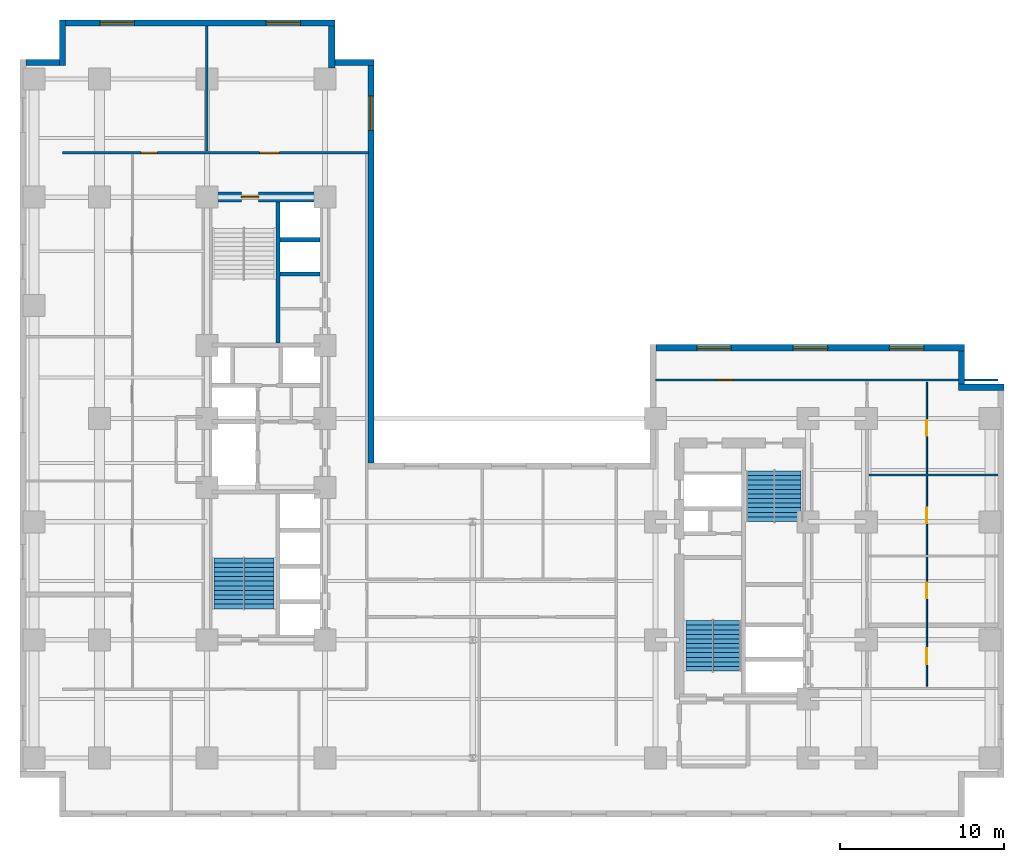
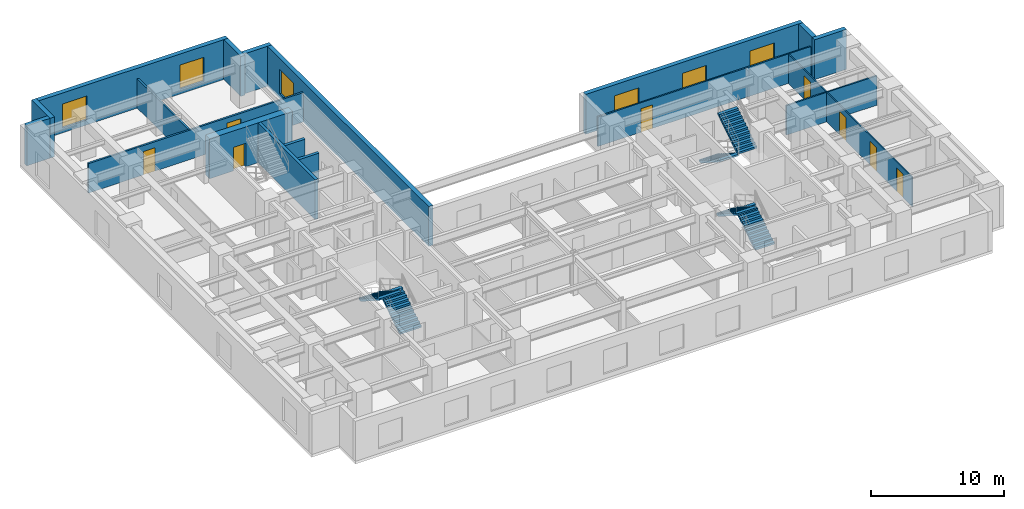
# One storey, part 6 of 10: 18 walls, 8 doors, 6 stair flights, 6 windows, 14 openings, 3 elements without a shape of their own.
"""IFC4 building model written with IfcOpenShell, lengths in metres."""

from ifc_helpers import new_model, entity, si_unit, converted_unit, direction, frame, origin_with_axes, origin_2d_with_axis, place, context, subcontext, project, spatial, polyline, rectangle, outline, extrude, material, layer, layer_set, type_object, element, fill, aggregate, save


model = new_model("IFC4")

# Units and contexts
model_context = context("Model", 3, precision=1e-05, world=origin_with_axes(), true_north=direction((0.0, 1.0)))
body_context = subcontext(model_context, "Body", "Model", "MODEL_VIEW")
ifc_project = project(units=[si_unit("LENGTHUNIT", "METRE"), si_unit("AREAUNIT", "SQUARE_METRE"), si_unit("VOLUMEUNIT", "CUBIC_METRE"), converted_unit("PLANEANGLEUNIT", "DEGREE", entity("IfcPlaneAngleMeasure", 0.017453292519943295), si_unit("PLANEANGLEUNIT", "RADIAN"), dimensions=[0, 0, 0, 0, 0, 0, 0]), si_unit("MASSUNIT", "GRAM", prefix="KILO"), si_unit("THERMODYNAMICTEMPERATUREUNIT", "KELVIN")], contexts=[model_context])

# Site, building, storey
site_placement = place(None, origin_with_axes())
site = spatial("IfcSite", under=ifc_project, at=site_placement, CompositionType="ELEMENT")
building_placement = place(site_placement, origin_with_axes())
building = spatial("IfcBuilding", under=site, at=building_placement, Name="Varnlund Millrace Tower", CompositionType="ELEMENT")
storey_placement = place(building_placement, frame((0.0, 0.0, 44.4), z_axis=(0.0, 0.0, 1.0), x_axis=(1.0, 0.0, 0.0)))
storey = spatial("IfcBuildingStorey", under=building, at=storey_placement, Name="L10", CompositionType="ELEMENT", Elevation=44.4)

# Wall, opening, door
ifc_material_1 = material(Name="Concrete C80/95", Category="concrete")
ifc_layer_1 = layer(ifc_material_1, 0.6, Name="Concrete C80/95")
ifc_layer_set_1 = layer_set([ifc_layer_1], Name="Concrete C80/95")
wall_type_1 = type_object("IfcWallType", Name="Type-CoreWall-Shear-600-C80", PredefinedType="SHEAR", material=ifc_layer_set_1)
wall_1_placement = place(storey_placement, frame((11.4, 37.8, 0.0), z_axis=(0.0, 0.0, 1.0), x_axis=(1.0, 0.0, 0.0)))
wall_1 = element("IfcWall", 1, at=wall_1_placement, inside=storey, type_object=wall_type_1, Name="Type-CoreWall-Shear-600-C80", PredefinedType="SHEAR", context=body_context, shape_type="SweptSolid", body=[
    extrude(outline(polyline([(0.0, -0.3), (7.2, -0.3), (7.2, 0.3), (0.0, 0.3), (0.0, -0.3)])), origin_with_axes(), (0.0, 0.0, 1.0), 3.66),
])
opening_1_placement = place(wall_1_placement, frame((2.625, 0.0, 0.0), z_axis=(0.0, 0.0, 1.0), x_axis=(1.0, 0.0, 0.0)))
opening_1 = element("IfcOpeningElement", 2, at=opening_1_placement, cuts=wall_1, Name="Opening L10:DR-STA2", PredefinedType="OPENING", context=body_context, shape_type="SweptSolid", body=[
    extrude(rectangle(XDim=1.05, YDim=0.62, at=origin_2d_with_axis()), origin_with_axes(), (0.0, 0.0, 1.0), 2.15),
])
ifc_material_2 = material(Name="Fire-rated hollow steel door", Category="steel")
door_type_1 = type_object("IfcDoorType", Name="Type-FireDoor-Stair-1050X2150", OperationType="NOTDEFINED", PredefinedType="DOOR", material=ifc_material_2)
door_1_placement = place(wall_1_placement, frame((2.625, 0.0, 0.0), z_axis=(0.0, 0.0, 1.0), x_axis=(1.0, 0.0, 0.0)))
door_1 = element("IfcDoor", 3, at=door_1_placement, inside=storey, type_object=door_type_1, Name="Type-FireDoor-Stair-1050X2150", OperationType="SINGLE_SWING_RIGHT", OverallHeight=2.15, OverallWidth=1.05, PredefinedType="DOOR", context=body_context, shape_type="SweptSolid", body=[
    extrude(rectangle(XDim=1.05, YDim=0.09, at=origin_2d_with_axis()), origin_with_axes(), (0.0, 0.0, 1.0), 2.15),
])
fill(opening_1, door_1)

# Wall, openings, windows
ifc_material_3 = material(Name="Precast concrete C50/60", Category="concrete")
ifc_layer_2 = layer(ifc_material_3, 0.38, Name="Precast concrete C50/60")
ifc_layer_set_2 = layer_set([ifc_layer_2], Name="Precast concrete C50/60")
wall_type_2 = type_object("IfcWallType", Name="Type-ExtWall-Precast-Tube-380", PredefinedType="SOLIDWALL", material=ifc_layer_set_2)
wall_2_placement = place(storey_placement, frame((38.78, 28.61, 0.0), z_axis=(0.0, 0.0, 1.0), x_axis=(1.0, 0.0, 0.0)))
wall_2 = element("IfcWall", 4, at=wall_2_placement, inside=storey, type_object=wall_type_2, Name="Type-ExtWall-Precast-Tube-380", PredefinedType="SOLIDWALL", context=body_context, shape_type="SweptSolid", body=[
    extrude(outline(polyline([(0.0, -0.19), (18.82, -0.19), (18.82, 0.19), (0.0, 0.19), (0.0, -0.19)])), origin_with_axes(), (0.0, 0.0, 1.0), 3.66),
])
opening_2_placement = place(wall_2_placement, frame((3.537, 0.0, 0.45), z_axis=(0.0, 0.0, 1.0), x_axis=(1.0, 0.0, 0.0)))
opening_2 = element("IfcOpeningElement", 5, at=opening_2_placement, cuts=wall_2, Name="Opening L10:WN-01", PredefinedType="OPENING", context=body_context, shape_type="SweptSolid", body=[
    extrude(rectangle(XDim=2.1, YDim=0.4, at=origin_2d_with_axis()), origin_with_axes(), (0.0, 0.0, 1.0), 2.2),
])
opening_3_placement = place(wall_2_placement, frame((9.41, 0.0, 0.45), z_axis=(0.0, 0.0, 1.0), x_axis=(1.0, 0.0, 0.0)))
opening_3 = element("IfcOpeningElement", 6, at=opening_3_placement, cuts=wall_2, Name="Opening L10:WN-02", PredefinedType="OPENING", context=body_context, shape_type="SweptSolid", body=[
    extrude(rectangle(XDim=2.1, YDim=0.4, at=origin_2d_with_axis()), origin_with_axes(), (0.0, 0.0, 1.0), 2.2),
])
opening_4_placement = place(wall_2_placement, frame((15.283, 0.0, 0.45), z_axis=(0.0, 0.0, 1.0), x_axis=(1.0, 0.0, 0.0)))
opening_4 = element("IfcOpeningElement", 7, at=opening_4_placement, cuts=wall_2, Name="Opening L10:WN-03", PredefinedType="OPENING", context=body_context, shape_type="SweptSolid", body=[
    extrude(rectangle(XDim=2.1, YDim=0.4, at=origin_2d_with_axis()), origin_with_axes(), (0.0, 0.0, 1.0), 2.2),
])
ifc_material_4 = material(Name="Argon low-e triple glazing in thermally broken bronze frame", Category="glass")
window_type = type_object("IfcWindowType", Name="Type-Window-Punched-2100X2200", PartitioningType="SINGLE_PANEL", PredefinedType="WINDOW", material=ifc_material_4)
window_1_placement = place(wall_2_placement, frame((3.537, 0.0, 0.45), z_axis=(0.0, 0.0, 1.0), x_axis=(1.0, 0.0, 0.0)))
window_1 = element("IfcWindow", 8, at=window_1_placement, inside=storey, type_object=window_type, Name="Type-Window-Punched-2100X2200", OverallHeight=2.2, OverallWidth=2.1, PredefinedType="WINDOW", context=body_context, shape_type="SweptSolid", body=[
    extrude(rectangle(XDim=2.1, YDim=0.09, at=origin_2d_with_axis()), origin_with_axes(), (0.0, 0.0, 1.0), 2.2),
])
fill(opening_2, window_1)
window_2_placement = place(wall_2_placement, frame((9.41, 0.0, 0.45), z_axis=(0.0, 0.0, 1.0), x_axis=(1.0, 0.0, 0.0)))
window_2 = element("IfcWindow", 9, at=window_2_placement, inside=storey, type_object=window_type, Name="Type-Window-Punched-2100X2200", OverallHeight=2.2, OverallWidth=2.1, PredefinedType="WINDOW", context=body_context, shape_type="SweptSolid", body=[
    extrude(rectangle(XDim=2.1, YDim=0.09, at=origin_2d_with_axis()), origin_with_axes(), (0.0, 0.0, 1.0), 2.2),
])
fill(opening_3, window_2)
window_3_placement = place(wall_2_placement, frame((15.283, 0.0, 0.45), z_axis=(0.0, 0.0, 1.0), x_axis=(1.0, 0.0, 0.0)))
window_3 = element("IfcWindow", 10, at=window_3_placement, inside=storey, type_object=window_type, Name="Type-Window-Punched-2100X2200", OverallHeight=2.2, OverallWidth=2.1, PredefinedType="WINDOW", context=body_context, shape_type="SweptSolid", body=[
    extrude(rectangle(XDim=2.1, YDim=0.09, at=origin_2d_with_axis()), origin_with_axes(), (0.0, 0.0, 1.0), 2.2),
])
fill(opening_4, window_3)

# Walls
wall_3_placement = place(storey_placement, frame((57.41, 28.42, 0.0), z_axis=(0.0, 0.0, 1.0), x_axis=(0.0, -1.0, 0.0)))
element("IfcWall", 11, at=wall_3_placement, inside=storey, type_object=wall_type_2, Name="Type-ExtWall-Precast-Tube-380", PredefinedType="SOLIDWALL", context=body_context, shape_type="SweptSolid", body=[
    extrude(outline(polyline([(0.0, -0.19), (2.02, -0.19), (2.02, 0.19), (0.0, 0.19), (0.0, -0.19)])), origin_with_axes(), (0.0, 0.0, 1.0), 3.66),
])
wall_4_placement = place(storey_placement, frame((57.22, 26.21, 0.0), z_axis=(0.0, 0.0, 1.0), x_axis=(1.0, 0.0, 0.0)))
element("IfcWall", 12, at=wall_4_placement, inside=storey, type_object=wall_type_2, Name="Type-ExtWall-Precast-Tube-380", PredefinedType="SOLIDWALL", context=body_context, shape_type="SweptSolid", body=[
    extrude(outline(polyline([(0.0, -0.19), (2.78, -0.19), (2.78, 0.19), (0.0, 0.19), (0.0, -0.19)])), origin_with_axes(), (0.0, 0.0, 1.0), 3.66),
])
wall_5_placement = place(storey_placement, frame((0.38, 46.01, 0.0), z_axis=(0.0, 0.0, 1.0), x_axis=(1.0, 0.0, 0.0)))
element("IfcWall", 13, at=wall_5_placement, inside=storey, type_object=wall_type_2, Name="Type-ExtWall-Precast-Tube-380", PredefinedType="SOLIDWALL", context=body_context, shape_type="SweptSolid", body=[
    extrude(outline(polyline([(0.0, -0.19), (2.02, -0.19), (2.02, 0.19), (0.0, 0.19), (0.0, -0.19)])), origin_with_axes(), (0.0, 0.0, 1.0), 3.66),
])
wall_6_placement = place(storey_placement, frame((2.59, 45.82, 0.0), z_axis=(0.0, 0.0, 1.0), x_axis=(0.0, 1.0, 0.0)))
element("IfcWall", 14, at=wall_6_placement, inside=storey, type_object=wall_type_2, Name="Type-ExtWall-Precast-Tube-380", PredefinedType="SOLIDWALL", context=body_context, shape_type="SweptSolid", body=[
    extrude(outline(polyline([(0.0, -0.19), (2.78, -0.19), (2.78, 0.19), (0.0, 0.19), (0.0, -0.19)])), origin_with_axes(), (0.0, 0.0, 1.0), 3.66),
])

# Wall, openings, windows
wall_7_placement = place(storey_placement, frame((2.78, 48.41, 0.0), z_axis=(0.0, 0.0, 1.0), x_axis=(1.0, 0.0, 0.0)))
wall_7 = element("IfcWall", 15, at=wall_7_placement, inside=storey, type_object=wall_type_2, Name="Type-ExtWall-Precast-Tube-380", PredefinedType="SOLIDWALL", context=body_context, shape_type="SweptSolid", body=[
    extrude(outline(polyline([(0.0, -0.19), (16.42, -0.19), (16.42, 0.19), (0.0, 0.19), (0.0, -0.19)])), origin_with_axes(), (0.0, 0.0, 1.0), 3.66),
])
opening_5_placement = place(wall_7_placement, frame((3.137, 0.0, 0.45), z_axis=(0.0, 0.0, 1.0), x_axis=(1.0, 0.0, 0.0)))
opening_5 = element("IfcOpeningElement", 16, at=opening_5_placement, cuts=wall_7, Name="Opening L10:WN-21", PredefinedType="OPENING", context=body_context, shape_type="SweptSolid", body=[
    extrude(rectangle(XDim=2.1, YDim=0.4, at=origin_2d_with_axis()), origin_with_axes(), (0.0, 0.0, 1.0), 2.2),
])
opening_6_placement = place(wall_7_placement, frame((13.283, 0.0, 0.45), z_axis=(0.0, 0.0, 1.0), x_axis=(1.0, 0.0, 0.0)))
opening_6 = element("IfcOpeningElement", 17, at=opening_6_placement, cuts=wall_7, Name="Opening L10:WN-22", PredefinedType="OPENING", context=body_context, shape_type="SweptSolid", body=[
    extrude(rectangle(XDim=2.1, YDim=0.4, at=origin_2d_with_axis()), origin_with_axes(), (0.0, 0.0, 1.0), 2.2),
])
window_4_placement = place(wall_7_placement, frame((3.137, 0.0, 0.45), z_axis=(0.0, 0.0, 1.0), x_axis=(1.0, 0.0, 0.0)))
window_4 = element("IfcWindow", 18, at=window_4_placement, inside=storey, type_object=window_type, Name="Type-Window-Punched-2100X2200", OverallHeight=2.2, OverallWidth=2.1, PredefinedType="WINDOW", context=body_context, shape_type="SweptSolid", body=[
    extrude(rectangle(XDim=2.1, YDim=0.09, at=origin_2d_with_axis()), origin_with_axes(), (0.0, 0.0, 1.0), 2.2),
])
fill(opening_5, window_4)
window_5_placement = place(wall_7_placement, frame((13.283, 0.0, 0.45), z_axis=(0.0, 0.0, 1.0), x_axis=(1.0, 0.0, 0.0)))
window_5 = element("IfcWindow", 19, at=window_5_placement, inside=storey, type_object=window_type, Name="Type-Window-Punched-2100X2200", OverallHeight=2.2, OverallWidth=2.1, PredefinedType="WINDOW", context=body_context, shape_type="SweptSolid", body=[
    extrude(rectangle(XDim=2.1, YDim=0.09, at=origin_2d_with_axis()), origin_with_axes(), (0.0, 0.0, 1.0), 2.2),
])
fill(opening_6, window_5)

# Walls
wall_8_placement = place(storey_placement, frame((19.01, 48.22, 0.0), z_axis=(0.0, 0.0, 1.0), x_axis=(0.0, -1.0, 0.0)))
element("IfcWall", 20, at=wall_8_placement, inside=storey, type_object=wall_type_2, Name="Type-ExtWall-Precast-Tube-380", PredefinedType="SOLIDWALL", context=body_context, shape_type="SweptSolid", body=[
    extrude(outline(polyline([(0.0, -0.19), (2.56, -0.19), (2.56, 0.19), (0.0, 0.19), (0.0, -0.19)])), origin_with_axes(), (0.0, 0.0, 1.0), 3.66),
])
wall_9_placement = place(storey_placement, frame((18.82, 46.01, 0.0), z_axis=(0.0, 0.0, 1.0), x_axis=(1.0, 0.0, 0.0)))
element("IfcWall", 21, at=wall_9_placement, inside=storey, type_object=wall_type_2, Name="Type-ExtWall-Precast-Tube-380", PredefinedType="SOLIDWALL", context=body_context, shape_type="SweptSolid", body=[
    extrude(outline(polyline([(0.0, -0.19), (2.78, -0.19), (2.78, 0.19), (0.0, 0.19), (0.0, -0.19)])), origin_with_axes(), (0.0, 0.0, 1.0), 3.66),
])

# Wall, opening, window
wall_10_placement = place(storey_placement, frame((21.41, 45.82, 0.0), z_axis=(0.0, 0.0, 1.0), x_axis=(0.0, -1.0, 0.0)))
wall_10 = element("IfcWall", 22, at=wall_10_placement, inside=storey, type_object=wall_type_2, Name="Type-ExtWall-Precast-Tube-380", PredefinedType="SOLIDWALL", context=body_context, shape_type="SweptSolid", body=[
    extrude(outline(polyline([(0.0, -0.19), (24.22, -0.19), (24.22, 0.19), (0.0, 0.19), (0.0, -0.19)])), origin_with_axes(), (0.0, 0.0, 1.0), 3.66),
])
opening_7_placement = place(wall_10_placement, frame((2.902, 0.0, 0.45), z_axis=(0.0, 0.0, 1.0), x_axis=(1.0, 0.0, 0.0)))
opening_7 = element("IfcOpeningElement", 23, at=opening_7_placement, cuts=wall_10, Name="Opening L10:WN-23", PredefinedType="OPENING", context=body_context, shape_type="SweptSolid", body=[
    extrude(rectangle(XDim=2.1, YDim=0.4, at=origin_2d_with_axis()), origin_with_axes(), (0.0, 0.0, 1.0), 2.2),
])
window_6_placement = place(wall_10_placement, frame((2.902, 0.0, 0.45), z_axis=(0.0, 0.0, 1.0), x_axis=(1.0, 0.0, 0.0)))
window_6 = element("IfcWindow", 24, at=window_6_placement, inside=storey, type_object=window_type, Name="Type-Window-Punched-2100X2200", OverallHeight=2.2, OverallWidth=2.1, PredefinedType="WINDOW", context=body_context, shape_type="SweptSolid", body=[
    extrude(rectangle(XDim=2.1, YDim=0.09, at=origin_2d_with_axis()), origin_with_axes(), (0.0, 0.0, 1.0), 2.2),
])
fill(opening_7, window_6)

# Wall, openings, doors
ifc_material_5 = material(Name="Fire-rated gypsum board on cold-formed steel framing", Category="steel")
ifc_layer_3 = layer(ifc_material_5, 0.16, Name="Fire-rated gypsum board on cold-formed steel framing")
ifc_layer_set_3 = layer_set([ifc_layer_3], Name="Fire-rated gypsum board on cold-formed steel framing")
wall_type_3 = type_object("IfcWallType", Name="Type-Partition-Corridor-160", PredefinedType="PARTITIONING", material=ifc_layer_set_3)
wall_11_placement = place(storey_placement, frame((2.6, 40.5, 0.0), z_axis=(0.0, 0.0, 1.0), x_axis=(1.0, 0.0, 0.0)))
wall_11 = element("IfcWall", 25, at=wall_11_placement, inside=storey, type_object=wall_type_3, Name="Type-Partition-Corridor-160", PredefinedType="PARTITIONING", context=body_context, shape_type="SweptSolid", body=[
    extrude(outline(polyline([(0.0, -0.08), (18.65, -0.08), (18.65, 0.08), (0.0, 0.08), (0.0, -0.08)])), origin_with_axes(), (0.0, 0.0, 1.0), 2.7),
])
opening_8_placement = place(wall_11_placement, frame((5.275, 0.0, 0.0), z_axis=(0.0, 0.0, 1.0), x_axis=(1.0, 0.0, 0.0)))
opening_8 = element("IfcOpeningElement", 26, at=opening_8_placement, cuts=wall_11, Name="Opening L10:DR-WAN-01", PredefinedType="OPENING", context=body_context, shape_type="SweptSolid", body=[
    extrude(rectangle(XDim=1.0, YDim=0.18, at=origin_2d_with_axis()), origin_with_axes(), (0.0, 0.0, 1.0), 2.15),
])
opening_9_placement = place(wall_11_placement, frame((12.61, 0.0, 0.0), z_axis=(0.0, 0.0, 1.0), x_axis=(1.0, 0.0, 0.0)))
opening_9 = element("IfcOpeningElement", 27, at=opening_9_placement, cuts=wall_11, Name="Opening L10:DR-WAN-02", PredefinedType="OPENING", context=body_context, shape_type="SweptSolid", body=[
    extrude(rectangle(XDim=1.2, YDim=0.18, at=origin_2d_with_axis()), origin_with_axes(), (0.0, 0.0, 1.0), 2.2),
])
ifc_material_6 = material(Name="Wide executive white oak acoustic door")
door_type_2 = type_object("IfcDoorType", Name="Type-IntDoor-Exec-1200X2200", OperationType="NOTDEFINED", PredefinedType="DOOR", material=ifc_material_6)
door_2_placement = place(wall_11_placement, frame((12.61, 0.0, 0.0), z_axis=(0.0, 0.0, 1.0), x_axis=(1.0, 0.0, 0.0)))
door_2 = element("IfcDoor", 28, at=door_2_placement, inside=storey, type_object=door_type_2, Name="Type-IntDoor-Exec-1200X2200", OperationType="SINGLE_SWING_RIGHT", OverallHeight=2.2, OverallWidth=1.2, PredefinedType="DOOR", context=body_context, shape_type="SweptSolid", body=[
    extrude(rectangle(XDim=1.2, YDim=0.09, at=origin_2d_with_axis()), origin_with_axes(), (0.0, 0.0, 1.0), 2.2),
])
fill(opening_9, door_2)
ifc_material_7 = material(Name="Solid-core white oak and bronze frame door")
door_type_3 = type_object("IfcDoorType", Name="Type-IntDoor-Office-1000X2150", OperationType="NOTDEFINED", PredefinedType="DOOR", material=ifc_material_7)
door_3_placement = place(wall_11_placement, frame((5.275, 0.0, 0.0), z_axis=(0.0, 0.0, 1.0), x_axis=(1.0, 0.0, 0.0)))
door_3 = element("IfcDoor", 29, at=door_3_placement, inside=storey, type_object=door_type_3, Name="Type-IntDoor-Office-1000X2150", OperationType="SINGLE_SWING_LEFT", OverallHeight=2.15, OverallWidth=1.0, PredefinedType="DOOR", context=body_context, shape_type="SweptSolid", body=[
    extrude(rectangle(XDim=1.0, YDim=0.09, at=origin_2d_with_axis()), origin_with_axes(), (0.0, 0.0, 1.0), 2.15),
])
fill(opening_8, door_3)

# Wall
ifc_material_8 = material(Name="Acoustic STC-50 gypsum board partition", Category="gypsum")
ifc_layer_4 = layer(ifc_material_8, 0.15, Name="Acoustic STC-50 gypsum board partition")
ifc_layer_set_4 = layer_set([ifc_layer_4], Name="Acoustic STC-50 gypsum board partition")
wall_type_4 = type_object("IfcWallType", Name="Type-Partition-Demising-150", PredefinedType="PARTITIONING", material=ifc_layer_set_4)
wall_12_placement = place(storey_placement, frame((11.4, 40.6, 0.0), z_axis=(0.0, 0.0, 1.0), x_axis=(0.0, 1.0, 0.0)))
element("IfcWall", 30, at=wall_12_placement, inside=storey, type_object=wall_type_4, Name="Type-Partition-Demising-150", PredefinedType="PARTITIONING", context=body_context, shape_type="SweptSolid", body=[
    extrude(outline(polyline([(0.0, -0.075), (7.64, -0.075), (7.64, 0.075), (0.0, 0.075), (0.0, -0.075)])), origin_with_axes(), (0.0, 0.0, 1.0), 2.7),
])

# Wall, openings, doors
ifc_material_9 = material(Name="Architectural bronze and acoustic glass office front", Category="glass")
ifc_layer_5 = layer(ifc_material_9, 0.1, Name="Architectural bronze and acoustic glass office front")
ifc_layer_set_5 = layer_set([ifc_layer_5], Name="Architectural bronze and acoustic glass office front")
wall_type_5 = type_object("IfcWallType", Name="Type-Partition-Glazed-100", PredefinedType="PARTITIONING", material=ifc_layer_set_5)
wall_13_placement = place(storey_placement, frame((55.3, 7.98, 0.0), z_axis=(0.0, 0.0, 1.0), x_axis=(0.0, 1.0, 0.0)))
wall_13 = element("IfcWall", 31, at=wall_13_placement, inside=storey, type_object=wall_type_5, Name="Type-Partition-Glazed-100", PredefinedType="PARTITIONING", context=body_context, shape_type="SweptSolid", body=[
    extrude(outline(polyline([(0.0, -0.05), (18.54, -0.05), (18.54, 0.05), (0.0, 0.05), (0.0, -0.05)])), origin_with_axes(), (0.0, 0.0, 1.0), 2.7),
])
opening_10_placement = place(wall_13_placement, frame((1.823, 0.0, 0.0), z_axis=(0.0, 0.0, 1.0), x_axis=(1.0, 0.0, 0.0)))
opening_10 = element("IfcOpeningElement", 32, at=opening_10_placement, cuts=wall_13, Name="Opening L10:DR-WB-S01", PredefinedType="OPENING", context=body_context, shape_type="SweptSolid", body=[
    extrude(rectangle(XDim=0.95, YDim=0.12, at=origin_2d_with_axis()), origin_with_axes(), (0.0, 0.0, 1.0), 2.15),
])
opening_11_placement = place(wall_13_placement, frame((5.832, 0.0, 0.0), z_axis=(0.0, 0.0, 1.0), x_axis=(1.0, 0.0, 0.0)))
opening_11 = element("IfcOpeningElement", 33, at=opening_11_placement, cuts=wall_13, Name="Opening L10:DR-WB-S02", PredefinedType="OPENING", context=body_context, shape_type="SweptSolid", body=[
    extrude(rectangle(XDim=0.95, YDim=0.12, at=origin_2d_with_axis()), origin_with_axes(), (0.0, 0.0, 1.0), 2.15),
])
opening_12_placement = place(wall_13_placement, frame((10.4145, 0.0, 0.0), z_axis=(0.0, 0.0, 1.0), x_axis=(1.0, 0.0, 0.0)))
opening_12 = element("IfcOpeningElement", 34, at=opening_12_placement, cuts=wall_13, Name="Opening L10:DR-WB-S03", PredefinedType="OPENING", context=body_context, shape_type="SweptSolid", body=[
    extrude(rectangle(XDim=0.95, YDim=0.12, at=origin_2d_with_axis()), origin_with_axes(), (0.0, 0.0, 1.0), 2.15),
])
opening_13_placement = place(wall_13_placement, frame((15.7455, 0.0, 0.0), z_axis=(0.0, 0.0, 1.0), x_axis=(1.0, 0.0, 0.0)))
opening_13 = element("IfcOpeningElement", 35, at=opening_13_placement, cuts=wall_13, Name="Opening L10:DR-WB-S04", PredefinedType="OPENING", context=body_context, shape_type="SweptSolid", body=[
    extrude(rectangle(XDim=0.95, YDim=0.12, at=origin_2d_with_axis()), origin_with_axes(), (0.0, 0.0, 1.0), 2.15),
])
ifc_material_10 = material(Name="Solid-core acoustic office door")
door_type_4 = type_object("IfcDoorType", Name="Type-IntDoor-Tenant-950X2150", OperationType="NOTDEFINED", PredefinedType="DOOR", material=ifc_material_10)
door_4_placement = place(wall_13_placement, frame((1.823, 0.0, 0.0), z_axis=(0.0, 0.0, 1.0), x_axis=(1.0, 0.0, 0.0)))
door_4 = element("IfcDoor", 36, at=door_4_placement, inside=storey, type_object=door_type_4, Name="Type-IntDoor-Tenant-950X2150", OperationType="SINGLE_SWING_LEFT", OverallHeight=2.15, OverallWidth=0.95, PredefinedType="DOOR", context=body_context, shape_type="SweptSolid", body=[
    extrude(rectangle(XDim=0.95, YDim=0.06, at=origin_2d_with_axis()), origin_with_axes(), (0.0, 0.0, 1.0), 2.15),
])
fill(opening_10, door_4)
door_5_placement = place(wall_13_placement, frame((5.832, 0.0, 0.0), z_axis=(0.0, 0.0, 1.0), x_axis=(1.0, 0.0, 0.0)))
door_5 = element("IfcDoor", 37, at=door_5_placement, inside=storey, type_object=door_type_4, Name="Type-IntDoor-Tenant-950X2150", OperationType="SINGLE_SWING_LEFT", OverallHeight=2.15, OverallWidth=0.95, PredefinedType="DOOR", context=body_context, shape_type="SweptSolid", body=[
    extrude(rectangle(XDim=0.95, YDim=0.06, at=origin_2d_with_axis()), origin_with_axes(), (0.0, 0.0, 1.0), 2.15),
])
fill(opening_11, door_5)
door_6_placement = place(wall_13_placement, frame((10.4145, 0.0, 0.0), z_axis=(0.0, 0.0, 1.0), x_axis=(1.0, 0.0, 0.0)))
door_6 = element("IfcDoor", 38, at=door_6_placement, inside=storey, type_object=door_type_4, Name="Type-IntDoor-Tenant-950X2150", OperationType="SINGLE_SWING_LEFT", OverallHeight=2.15, OverallWidth=0.95, PredefinedType="DOOR", context=body_context, shape_type="SweptSolid", body=[
    extrude(rectangle(XDim=0.95, YDim=0.06, at=origin_2d_with_axis()), origin_with_axes(), (0.0, 0.0, 1.0), 2.15),
])
fill(opening_12, door_6)
door_7_placement = place(wall_13_placement, frame((15.7455, 0.0, 0.0), z_axis=(0.0, 0.0, 1.0), x_axis=(1.0, 0.0, 0.0)))
door_7 = element("IfcDoor", 39, at=door_7_placement, inside=storey, type_object=door_type_4, Name="Type-IntDoor-Tenant-950X2150", OperationType="SINGLE_SWING_LEFT", OverallHeight=2.15, OverallWidth=0.95, PredefinedType="DOOR", context=body_context, shape_type="SweptSolid", body=[
    extrude(rectangle(XDim=0.95, YDim=0.06, at=origin_2d_with_axis()), origin_with_axes(), (0.0, 0.0, 1.0), 2.15),
])
fill(opening_13, door_7)

# Wall, opening, door
ifc_material_11 = material(Name="Gypsum board tenant partition", Category="gypsum")
ifc_layer_6 = layer(ifc_material_11, 0.125, Name="Gypsum board tenant partition")
ifc_layer_set_6 = layer_set([ifc_layer_6], Name="Gypsum board tenant partition")
wall_type_6 = type_object("IfcWallType", Name="Type-Partition-Tenant-125", PredefinedType="PARTITIONING", material=ifc_layer_set_6)
wall_14_placement = place(storey_placement, frame((38.76, 26.65, 0.0), z_axis=(0.0, 0.0, 1.0), x_axis=(1.0, 0.0, 0.0)))
wall_14 = element("IfcWall", 40, at=wall_14_placement, inside=storey, type_object=wall_type_6, Name="Type-Partition-Tenant-125", PredefinedType="PARTITIONING", context=body_context, shape_type="SweptSolid", body=[
    extrude(outline(polyline([(0.0, -0.0625), (20.88, -0.0625), (20.88, 0.0625), (0.0, 0.0625), (0.0, -0.0625)])), origin_with_axes(), (0.0, 0.0, 1.0), 2.7),
])
opening_14_placement = place(wall_14_placement, frame((4.24, 0.0, 0.0), z_axis=(0.0, 0.0, 1.0), x_axis=(1.0, 0.0, 0.0)))
opening_14 = element("IfcOpeningElement", 41, at=opening_14_placement, cuts=wall_14, Name="Opening L10:DR-WBN-01", PredefinedType="OPENING", context=body_context, shape_type="SweptSolid", body=[
    extrude(rectangle(XDim=1.0, YDim=0.145, at=origin_2d_with_axis()), origin_with_axes(), (0.0, 0.0, 1.0), 2.15),
])
door_8_placement = place(wall_14_placement, frame((4.24, 0.0, 0.0), z_axis=(0.0, 0.0, 1.0), x_axis=(1.0, 0.0, 0.0)))
door_8 = element("IfcDoor", 42, at=door_8_placement, inside=storey, type_object=door_type_3, Name="Type-IntDoor-Office-1000X2150", OperationType="SINGLE_SWING_RIGHT", OverallHeight=2.15, OverallWidth=1.0, PredefinedType="DOOR", context=body_context, shape_type="SweptSolid", body=[
    extrude(rectangle(XDim=1.0, YDim=0.075, at=origin_2d_with_axis()), origin_with_axes(), (0.0, 0.0, 1.0), 2.15),
])
fill(opening_14, door_8)

# Walls
wall_15_placement = place(storey_placement, frame((51.77, 20.861, 0.0), z_axis=(0.0, 0.0, 1.0), x_axis=(1.0, 0.0, 0.0)))
element("IfcWall", 43, at=wall_15_placement, inside=storey, type_object=wall_type_6, Name="Type-Partition-Tenant-125", PredefinedType="PARTITIONING", context=body_context, shape_type="SweptSolid", body=[
    extrude(outline(polyline([(0.0, -0.0625), (7.855, -0.0625), (7.855, 0.0625), (0.0, 0.0625), (0.0, -0.0625)])), origin_with_axes(), (0.0, 0.0, 1.0), 2.7),
])
ifc_material_12 = material(Name="Concrete C60/75", Category="concrete")
ifc_layer_7 = layer(ifc_material_12, 0.25, Name="Concrete C60/75")
ifc_layer_set_7 = layer_set([ifc_layer_7], Name="Concrete C60/75")
wall_type_7 = type_object("IfcWallType", Name="Type-ShaftWall-Fire-250", PredefinedType="SOLIDWALL", material=ifc_layer_set_7)
for number, where, z_axis, x_axis, name in (
    (44, (15.84, 33.1, 0.0), (0.0, 0.0, 1.0), (1.0, 0.0, 0.0), "Type-ShaftWall-Fire-250"),
    (45, (15.84, 35.2, 0.0), (0.0, 0.0, 1.0), (1.0, 0.0, 0.0), "Type-ShaftWall-Fire-250"),
):
    element("IfcWall", number, at=place(storey_placement, frame(where, z_axis=z_axis, x_axis=x_axis)), inside=storey, type_object=wall_type_7, Name=name, PredefinedType="SOLIDWALL", context=body_context, shape_type="SweptSolid", body=[
        extrude(outline(polyline([(0.0, -0.125), (2.46, -0.125), (2.46, 0.125), (0.0, 0.125), (0.0, -0.125)])), origin_with_axes(), (0.0, 0.0, 1.0), 2.7),
    ])
wall_type_8 = type_object("IfcWallType", Name="Type-StairWall-Shear-250", PredefinedType="SHEAR", material=ifc_layer_set_7)
wall_16_placement = place(storey_placement, frame((15.725, 28.9, 0.0), z_axis=(0.0, 0.0, 1.0), x_axis=(0.0, 1.0, 0.0)))
element("IfcWall", 46, at=wall_16_placement, inside=storey, type_object=wall_type_8, Name="Type-StairWall-Shear-250", PredefinedType="SHEAR", context=body_context, shape_type="SweptSolid", body=[
    extrude(outline(polyline([(0.0, -0.125), (8.6, -0.125), (8.6, 0.125), (0.0, 0.125), (0.0, -0.125)])), origin_with_axes(), (0.0, 0.0, 1.0), 3.66),
])

# Stair, stair flights
ifc_material_13 = material(Name="Concrete C50/60", Category="concrete")
stair_type_1 = type_object("IfcStairType", Name="Type-Stair-Dogleg-165-390", PredefinedType="HALF_TURN_STAIR", material=ifc_material_13)
stair_1_placement = place(storey_placement, origin_with_axes())
stair_1 = element("IfcStair", 47, at=stair_1_placement, inside=storey, type_object=stair_type_1, Name="Type-Stair-Dogleg-165-390", PredefinedType="HALF_TURN_STAIR")
stair_flight_type_1 = type_object("IfcStairFlightType", Name="Type-Dogleg-Run-165-390", PredefinedType="STRAIGHT", material=ifc_material_3)
stair_flight_1_placement = place(storey_placement, frame((42.225, 8.9, 0.0), z_axis=(1.0, 0.0, 0.0), x_axis=(0.0, 1.0, 0.0)))
stair_flight_1 = element("IfcStairFlight", 48, at=stair_flight_1_placement, type_object=stair_flight_type_1, Name="ST-B1 flight 1", NumberOfRisers=11, NumberOfTreads=11, PredefinedType="STRAIGHT", RiserHeight=0.177273, TreadLength=0.28, context=body_context, shape_type="SweptSolid", body=[
    extrude(outline(polyline([(0.0, 0.0), (0.0, 0.177273), (0.28, 0.177273), (0.28, 0.354545), (0.56, 0.354545), (0.56, 0.531818), (0.84, 0.531818), (0.84, 0.709091), (1.12, 0.709091), (1.12, 0.886364), (1.4, 0.886364), (1.4, 1.063636), (1.68, 1.063636), (1.68, 1.240909), (1.96, 1.240909), (1.96, 1.418182), (2.24, 1.418182), (2.24, 1.595454), (2.52, 1.595454), (2.52, 1.772727), (2.8, 1.772727), (2.8, 1.95), (3.08, 1.95), (3.08, 1.8), (0.28, 0.0), (0.0, 0.0)])), origin_with_axes(), (0.0, 0.0, 1.0), 1.65),
])
stair_flight_2_placement = place(storey_placement, frame((42.275, 11.98, 1.95), z_axis=(-1.0, 0.0, 0.0), x_axis=(0.0, -1.0, 0.0)))
stair_flight_2 = element("IfcStairFlight", 49, at=stair_flight_2_placement, type_object=stair_flight_type_1, Name="ST-B1 flight 2", NumberOfRisers=11, NumberOfTreads=11, PredefinedType="STRAIGHT", RiserHeight=0.177273, TreadLength=0.28, context=body_context, shape_type="SweptSolid", body=[
    extrude(outline(polyline([(0.0, 0.0), (0.0, 0.177273), (0.28, 0.177273), (0.28, 0.354545), (0.56, 0.354545), (0.56, 0.531818), (0.84, 0.531818), (0.84, 0.709091), (1.12, 0.709091), (1.12, 0.886364), (1.4, 0.886364), (1.4, 1.063636), (1.68, 1.063636), (1.68, 1.240909), (1.96, 1.240909), (1.96, 1.418182), (2.24, 1.418182), (2.24, 1.595454), (2.52, 1.595454), (2.52, 1.772727), (2.8, 1.772727), (2.8, 1.95), (3.08, 1.95), (3.08, 1.8), (0.28, 0.0), (0.0, 0.0)])), origin_with_axes(), (0.0, 0.0, 1.0), 1.65),
])
aggregate(stair_1, [stair_flight_1, stair_flight_2])

stair_2_placement = place(storey_placement, origin_with_axes())
stair_2 = element("IfcStair", 50, at=stair_2_placement, inside=storey, type_object=stair_type_1, Name="Type-Stair-Dogleg-165-390", PredefinedType="HALF_TURN_STAIR")
stair_flight_3_placement = place(storey_placement, frame((46.025, 21.1, 0.0), z_axis=(-1.0, 0.0, 0.0), x_axis=(0.0, -1.0, 0.0)))
stair_flight_3 = element("IfcStairFlight", 51, at=stair_flight_3_placement, type_object=stair_flight_type_1, Name="ST-B2 flight 1", NumberOfRisers=11, NumberOfTreads=11, PredefinedType="STRAIGHT", RiserHeight=0.177273, TreadLength=0.28, context=body_context, shape_type="SweptSolid", body=[
    extrude(outline(polyline([(0.0, 0.0), (0.0, 0.177273), (0.28, 0.177273), (0.28, 0.354545), (0.56, 0.354545), (0.56, 0.531818), (0.84, 0.531818), (0.84, 0.709091), (1.12, 0.709091), (1.12, 0.886364), (1.4, 0.886364), (1.4, 1.063636), (1.68, 1.063636), (1.68, 1.240909), (1.96, 1.240909), (1.96, 1.418182), (2.24, 1.418182), (2.24, 1.595454), (2.52, 1.595454), (2.52, 1.772727), (2.8, 1.772727), (2.8, 1.95), (3.08, 1.95), (3.08, 1.8), (0.28, 0.0), (0.0, 0.0)])), origin_with_axes(), (0.0, 0.0, 1.0), 1.65),
])
stair_flight_4_placement = place(storey_placement, frame((45.975, 18.02, 1.95), z_axis=(1.0, 0.0, 0.0), x_axis=(0.0, 1.0, 0.0)))
stair_flight_4 = element("IfcStairFlight", 52, at=stair_flight_4_placement, type_object=stair_flight_type_1, Name="ST-B2 flight 2", NumberOfRisers=11, NumberOfTreads=11, PredefinedType="STRAIGHT", RiserHeight=0.177273, TreadLength=0.28, context=body_context, shape_type="SweptSolid", body=[
    extrude(outline(polyline([(0.0, 0.0), (0.0, 0.177273), (0.28, 0.177273), (0.28, 0.354545), (0.56, 0.354545), (0.56, 0.531818), (0.84, 0.531818), (0.84, 0.709091), (1.12, 0.709091), (1.12, 0.886364), (1.4, 0.886364), (1.4, 1.063636), (1.68, 1.063636), (1.68, 1.240909), (1.96, 1.240909), (1.96, 1.418182), (2.24, 1.418182), (2.24, 1.595454), (2.52, 1.595454), (2.52, 1.772727), (2.8, 1.772727), (2.8, 1.95), (3.08, 1.95), (3.08, 1.8), (0.28, 0.0), (0.0, 0.0)])), origin_with_axes(), (0.0, 0.0, 1.0), 1.65),
])
aggregate(stair_2, [stair_flight_3, stair_flight_4])

stair_type_2 = type_object("IfcStairType", Name="Type-Stair-Dogleg-185-390", PredefinedType="HALF_TURN_STAIR", material=ifc_material_13)
stair_3_placement = place(storey_placement, origin_with_axes())
stair_3 = element("IfcStair", 53, at=stair_3_placement, inside=storey, type_object=stair_type_2, Name="Type-Stair-Dogleg-185-390", PredefinedType="HALF_TURN_STAIR")
stair_flight_type_2 = type_object("IfcStairFlightType", Name="Type-Dogleg-Run-185-390", PredefinedType="STRAIGHT", material=ifc_material_3)
stair_flight_5_placement = place(storey_placement, frame((13.625, 12.7, 0.0), z_axis=(1.0, 0.0, 0.0), x_axis=(0.0, 1.0, 0.0)))
stair_flight_5 = element("IfcStairFlight", 54, at=stair_flight_5_placement, type_object=stair_flight_type_2, Name="ST-A1 flight 1", NumberOfRisers=11, NumberOfTreads=11, PredefinedType="STRAIGHT", RiserHeight=0.177273, TreadLength=0.28, context=body_context, shape_type="SweptSolid", body=[
    extrude(outline(polyline([(0.0, 0.0), (0.0, 0.177273), (0.28, 0.177273), (0.28, 0.354545), (0.56, 0.354545), (0.56, 0.531818), (0.84, 0.531818), (0.84, 0.709091), (1.12, 0.709091), (1.12, 0.886364), (1.4, 0.886364), (1.4, 1.063636), (1.68, 1.063636), (1.68, 1.240909), (1.96, 1.240909), (1.96, 1.418182), (2.24, 1.418182), (2.24, 1.595454), (2.52, 1.595454), (2.52, 1.772727), (2.8, 1.772727), (2.8, 1.95), (3.08, 1.95), (3.08, 1.8), (0.28, 0.0), (0.0, 0.0)])), origin_with_axes(), (0.0, 0.0, 1.0), 1.85),
])
stair_flight_6_placement = place(storey_placement, frame((13.675, 15.78, 1.95), z_axis=(-1.0, 0.0, 0.0), x_axis=(0.0, -1.0, 0.0)))
stair_flight_6 = element("IfcStairFlight", 55, at=stair_flight_6_placement, type_object=stair_flight_type_2, Name="ST-A1 flight 2", NumberOfRisers=11, NumberOfTreads=11, PredefinedType="STRAIGHT", RiserHeight=0.177273, TreadLength=0.28, context=body_context, shape_type="SweptSolid", body=[
    extrude(outline(polyline([(0.0, 0.0), (0.0, 0.177273), (0.28, 0.177273), (0.28, 0.354545), (0.56, 0.354545), (0.56, 0.531818), (0.84, 0.531818), (0.84, 0.709091), (1.12, 0.709091), (1.12, 0.886364), (1.4, 0.886364), (1.4, 1.063636), (1.68, 1.063636), (1.68, 1.240909), (1.96, 1.240909), (1.96, 1.418182), (2.24, 1.418182), (2.24, 1.595454), (2.52, 1.595454), (2.52, 1.772727), (2.8, 1.772727), (2.8, 1.95), (3.08, 1.95), (3.08, 1.8), (0.28, 0.0), (0.0, 0.0)])), origin_with_axes(), (0.0, 0.0, 1.0), 1.85),
])
aggregate(stair_3, [stair_flight_5, stair_flight_6])

save(model, "model.ifc")
